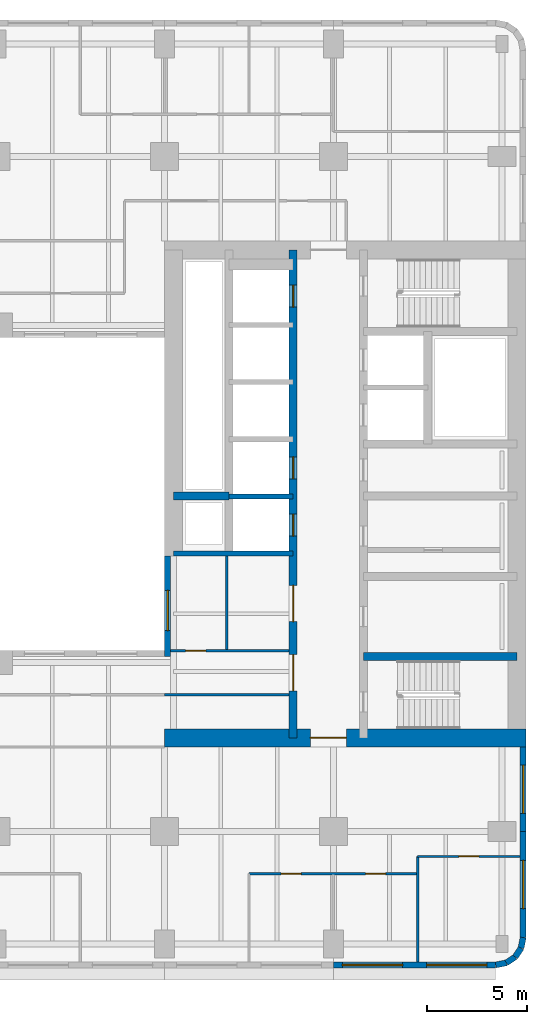
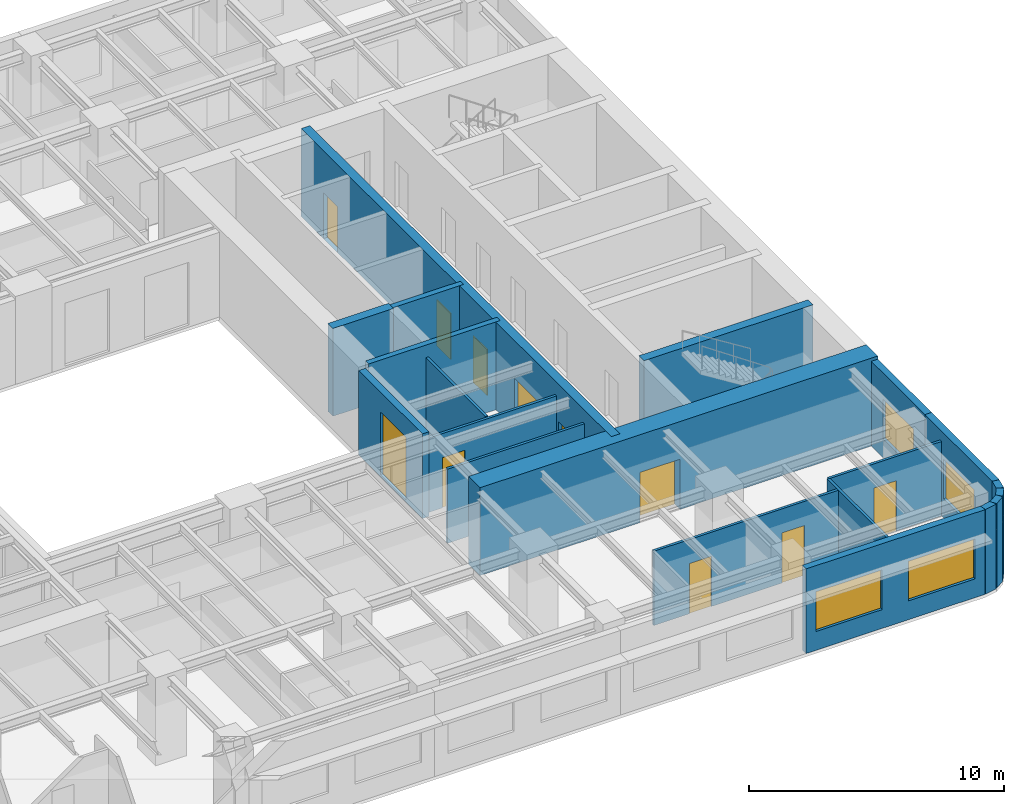
# One storey, part 5 of 11: 20 walls, 10 doors, 5 windows, 15 openings.
"""IFC4 building model written with IfcOpenShell, lengths in metres."""

from ifc_helpers import new_model, si_unit, direction, frame, frame_2d, origin, place, context, subcontext, project, spatial, rectangle, extrude, material, layer, layer_set, type_object, element, fill, save


model = new_model("IFC4")

# Units and contexts
model_context = context("Model", 3, precision=1e-05, world=origin(), true_north=direction((0.0, 1.0)))
body_context = subcontext(model_context, "Body", "Model", "MODEL_VIEW")
ifc_project = project(units=[si_unit("LENGTHUNIT", "METRE"), si_unit("AREAUNIT", "SQUARE_METRE"), si_unit("VOLUMEUNIT", "CUBIC_METRE"), si_unit("PLANEANGLEUNIT", "RADIAN"), si_unit("MASSUNIT", "GRAM", prefix="KILO")], contexts=[model_context])

# Site, building, storey
site_placement = place(None, origin())
site = spatial("IfcSite", under=ifc_project, at=site_placement, CompositionType="ELEMENT")
building_placement = place(site_placement, origin())
building = spatial("IfcBuilding", under=site, at=building_placement, Name="Claustro Exchange Tower", CompositionType="ELEMENT")
storey_placement = place(building_placement, frame((0.0, 0.0, 151.199951171875)))
storey = spatial("IfcBuildingStorey", under=building, at=storey_placement, Name="L34", CompositionType="ELEMENT", Elevation=151.199951171875)

# Wall, opening, door
ifc_material_1 = material(Name="Laminated glass in aluminium frame", Category="aluminium")
ifc_layer_1 = layer(ifc_material_1, 0.1201171875)
ifc_layer_set_1 = layer_set([ifc_layer_1], Name="Laminated glass in aluminium frame")
wall_type_1 = type_object("IfcWallType", Name="P2 120 glazed partition", PredefinedType="PARTITIONING", material=ifc_layer_set_1)
wall_1_placement = place(storey_placement, frame((33.89794921875, 17.39990234375, 0.0), z_axis=(0.0, 0.0, 1.0), x_axis=(1.0, 0.0, 0.0)))
wall_1 = element("IfcWall", 1, at=wall_1_placement, inside=storey, type_object=wall_type_1, Name="Partition P2 L34", PredefinedType="PARTITIONING", context=body_context, shape_type="SweptSolid", body=[
    extrude(rectangle(XDim=5.904052734375, YDim=0.1201171875, at=frame_2d((2.9521484375, 0.0))), origin(), (0.0, 0.0, 1.0), 3.550048828125),
])
opening_1_placement = place(wall_1_placement, frame((0.751953125, 0.0, 0.0)))
opening_1 = element("IfcOpeningElement", 2, at=opening_1_placement, cuts=wall_1, Name="Opening D7", PredefinedType="OPENING", context=body_context, shape_type="SweptSolid", body=[
    extrude(rectangle(XDim=1.0, YDim=2.39990234375, at=frame_2d((0.5, 1.199951171875))), frame((0.0, 0.070068359375, 0.0), z_axis=(0.0, -1.0, 0.0), x_axis=(1.0, 0.0, 0.0)), (0.0, 0.0, 1.0), 0.14013671875),
])
ifc_material_2 = material(Name="Glass door in aluminium frame", Category="aluminium")
door_type_1 = type_object("IfcDoorType", Name="D7 1000 x 2400 glazed door", OperationType="SINGLE_SWING_LEFT", PredefinedType="DOOR", material=ifc_material_2)
door_1_placement = place(opening_1_placement, origin())
door_1 = element("IfcDoor", 3, at=door_1_placement, inside=storey, type_object=door_type_1, Name="Door D7 L34", OperationType="SINGLE_SWING_RIGHT", OverallHeight=2.39990234375, OverallWidth=1.0, PredefinedType="DOOR", context=body_context, shape_type="SweptSolid", body=[
    extrude(rectangle(XDim=1.0, YDim=2.39990234375, at=frame_2d((0.5, 1.199951171875))), frame((0.0, 0.02490234375, 0.0), z_axis=(0.0, -1.0, 0.0), x_axis=(1.0, 0.0, 0.0)), (0.0, 0.0, 1.0), 0.050048828125),
])
fill(opening_1, door_1)

# Wall
wall_2_placement = place(storey_placement, frame((36.699951171875, 17.4580078125, 0.0), z_axis=(0.0, 0.0, 1.0), x_axis=(0.0, 1.0, 0.0)))
element("IfcWall", 4, at=wall_2_placement, inside=storey, type_object=wall_type_1, Name="Partition P2 L34", PredefinedType="PARTITIONING", context=body_context, shape_type="SweptSolid", body=[
    extrude(rectangle(XDim=4.64404296875, YDim=0.1201171875, at=frame_2d((2.322021484375, 0.0))), origin(), (0.0, 0.0, 1.0), 3.60009765625),
])

# Wall, opening, door
wall_3_placement = place(storey_placement, frame((46.199951171875, 7.14990234375, 0.0), z_axis=(0.0, 0.0, 1.0), x_axis=(1.0, 0.0, 0.0)))
wall_3 = element("IfcWall", 5, at=wall_3_placement, inside=storey, type_object=wall_type_1, Name="Partition P2 L34", PredefinedType="PARTITIONING", context=body_context, shape_type="SweptSolid", body=[
    extrude(rectangle(XDim=5.10205078125, YDim=0.1201171875, at=frame_2d((2.551025390625, 0.0))), origin(), (0.0, 0.0, 1.0), 3.56005859375),
])
opening_2_placement = place(wall_3_placement, frame((2.050048828125, 0.0, 0.0)))
opening_2 = element("IfcOpeningElement", 6, at=opening_2_placement, cuts=wall_3, Name="Opening D7", PredefinedType="OPENING", context=body_context, shape_type="SweptSolid", body=[
    extrude(rectangle(XDim=1.0, YDim=2.39990234375, at=frame_2d((0.5, 1.199951171875))), frame((0.0, 0.070068359375, 0.0), z_axis=(0.0, -1.0, 0.0), x_axis=(1.0, 0.0, 0.0)), (0.0, 0.0, 1.0), 0.14013671875),
])
door_2_placement = place(opening_2_placement, frame((1.0, 0.0, 0.0), z_axis=(0.0, 0.0, 1.0), x_axis=(-1.0, 0.0, 0.0)))
door_2 = element("IfcDoor", 7, at=door_2_placement, inside=storey, type_object=door_type_1, Name="Door D7 L34", OperationType="SINGLE_SWING_RIGHT", OverallHeight=2.39990234375, OverallWidth=1.0, PredefinedType="DOOR", context=body_context, shape_type="SweptSolid", body=[
    extrude(rectangle(XDim=1.0, YDim=2.39990234375, at=frame_2d((0.5, 1.199951171875))), frame((0.0, 0.02490234375, 0.0), z_axis=(0.0, -1.0, 0.0), x_axis=(1.0, 0.0, 0.0)), (0.0, 0.0, 1.0), 0.050048828125),
])
fill(opening_2, door_2)

# Wall, openings, doors
wall_4_placement = place(storey_placement, frame((37.800048828125, 6.300048828125, 0.0), z_axis=(0.0, 0.0, 1.0), x_axis=(1.0, 0.0, 0.0)))
wall_4 = element("IfcWall", 8, at=wall_4_placement, inside=storey, type_object=wall_type_1, Name="Partition P2 L34", PredefinedType="PARTITIONING", context=body_context, shape_type="SweptSolid", body=[
    extrude(rectangle(XDim=8.342041015625, YDim=0.1201171875, at=frame_2d((4.1708984375, 0.0))), origin(), (0.0, 0.0, 1.0), 3.550048828125),
])
opening_3_placement = place(wall_4_placement, frame((1.60009765625, 0.0, 0.0)))
opening_3 = element("IfcOpeningElement", 9, at=opening_3_placement, cuts=wall_4, Name="Opening D7", PredefinedType="OPENING", context=body_context, shape_type="SweptSolid", body=[
    extrude(rectangle(XDim=1.0, YDim=2.39990234375, at=frame_2d((0.5, 1.199951171875))), frame((0.0, 0.070068359375, 0.0), z_axis=(0.0, -1.0, 0.0), x_axis=(1.0, 0.0, 0.0)), (0.0, 0.0, 1.0), 0.14013671875),
])
opening_4_placement = place(wall_4_placement, frame((5.800048828125, 0.0, 0.0)))
opening_4 = element("IfcOpeningElement", 10, at=opening_4_placement, cuts=wall_4, Name="Opening D7", PredefinedType="OPENING", context=body_context, shape_type="SweptSolid", body=[
    extrude(rectangle(XDim=1.0, YDim=2.39990234375, at=frame_2d((0.5, 1.199951171875))), frame((0.0, 0.070068359375, 0.0), z_axis=(0.0, -1.0, 0.0), x_axis=(1.0, 0.0, 0.0)), (0.0, 0.0, 1.0), 0.14013671875),
])
door_3_placement = place(opening_3_placement, frame((1.0, 0.0, 0.0), z_axis=(0.0, 0.0, 1.0), x_axis=(-1.0, 0.0, 0.0)))
door_3 = element("IfcDoor", 11, at=door_3_placement, inside=storey, type_object=door_type_1, Name="Door D7 L34", OperationType="SINGLE_SWING_RIGHT", OverallHeight=2.39990234375, OverallWidth=1.0, PredefinedType="DOOR", context=body_context, shape_type="SweptSolid", body=[
    extrude(rectangle(XDim=1.0, YDim=2.39990234375, at=frame_2d((0.5, 1.199951171875))), frame((0.0, 0.02490234375, 0.0), z_axis=(0.0, -1.0, 0.0), x_axis=(1.0, 0.0, 0.0)), (0.0, 0.0, 1.0), 0.050048828125),
])
fill(opening_3, door_3)
door_4_placement = place(opening_4_placement, frame((1.0, 0.0, 0.0), z_axis=(0.0, 0.0, 1.0), x_axis=(-1.0, 0.0, 0.0)))
door_4 = element("IfcDoor", 12, at=door_4_placement, inside=storey, type_object=door_type_1, Name="Door D7 L34", OperationType="SINGLE_SWING_RIGHT", OverallHeight=2.39990234375, OverallWidth=1.0, PredefinedType="DOOR", context=body_context, shape_type="SweptSolid", body=[
    extrude(rectangle(XDim=1.0, YDim=2.39990234375, at=frame_2d((0.5, 1.199951171875))), frame((0.0, 0.02490234375, 0.0), z_axis=(0.0, -1.0, 0.0), x_axis=(1.0, 0.0, 0.0)), (0.0, 0.0, 1.0), 0.050048828125),
])
fill(opening_4, door_4)

# Walls
wall_5_placement = place(storey_placement, frame((46.199951171875, 1.89794921875, 0.0), z_axis=(0.0, 0.0, 1.0), x_axis=(0.0, 1.0, 0.0)))
element("IfcWall", 13, at=wall_5_placement, inside=storey, type_object=wall_type_1, Name="Partition P2 L34", PredefinedType="PARTITIONING", context=body_context, shape_type="SweptSolid", body=[
    extrude(rectangle(XDim=5.251953125, YDim=0.1201171875, at=frame_2d((2.6259765625, 0.0))), origin(), (0.0, 0.0, 1.0), 3.56005859375),
])
wall_6_placement = place(storey_placement, frame((33.597900390625, 15.199951171875, 0.0), z_axis=(0.0, 0.0, 1.0), x_axis=(1.0, 0.0, 0.0)))
element("IfcWall", 14, at=wall_6_placement, inside=storey, type_object=wall_type_1, Name="Partition P2 L34", PredefinedType="PARTITIONING", context=body_context, shape_type="SweptSolid", body=[
    extrude(rectangle(XDim=6.2041015625, YDim=0.1201171875, at=frame_2d((3.10205078125, 0.0))), origin(), (0.0, 0.0, 1.0), 3.550048828125),
])

# Wall, openings, windows
ifc_material_3 = material(Name="Concrete HA-40 (C40/50), precast, white cement, acid-etched", Category="concrete")
ifc_layer_2 = layer(ifc_material_3, 0.300048828125)
ifc_layer_set_2 = layer_set([ifc_layer_2], Name="Concrete HA-40 (C40/50), precast, white cement, acid-etched")
wall_type_2 = type_object("IfcWallType", Name="PC1 300 precast concrete pier panel", PredefinedType="SOLIDWALL", material=ifc_layer_set_2)
wall_7_placement = place(storey_placement, frame((50.085205078125, 1.75, 0.0), z_axis=(0.0, 0.0, 1.0), x_axis=(-1.0, 0.0, 0.0)))
wall_7 = element("IfcWall", 15, at=wall_7_placement, inside=storey, type_object=wall_type_2, Name="Precast pier panel PC1 L34", PredefinedType="SOLIDWALL", context=body_context, shape_type="SweptSolid", body=[
    extrude(rectangle(XDim=8.085205078125, YDim=0.300048828125, at=frame_2d((4.04248046875, 0.0))), origin(), (0.0, 0.0, 1.0), 4.050048828125),
])
opening_5_placement = place(wall_7_placement, frame((0.442626953125, 0.0, 0.89990234375)))
opening_5 = element("IfcOpeningElement", 16, at=opening_5_placement, cuts=wall_7, Name="Opening W1", PredefinedType="OPENING", context=body_context, shape_type="SweptSolid", body=[
    extrude(rectangle(XDim=3.0, YDim=1.89990234375, at=frame_2d((1.5, 0.949951171875))), frame((0.0, 0.159912109375, 0.0), z_axis=(0.0, -1.0, 0.0), x_axis=(1.0, 0.0, 0.0)), (0.0, 0.0, 1.0), 0.320068359375),
])
opening_6_placement = place(wall_7_placement, frame((4.642578125, 0.0, 0.89990234375)))
opening_6 = element("IfcOpeningElement", 17, at=opening_6_placement, cuts=wall_7, Name="Opening W1", PredefinedType="OPENING", context=body_context, shape_type="SweptSolid", body=[
    extrude(rectangle(XDim=3.0, YDim=1.89990234375, at=frame_2d((1.5, 0.949951171875))), frame((0.0, 0.159912109375, 0.0), z_axis=(0.0, -1.0, 0.0), x_axis=(1.0, 0.0, 0.0)), (0.0, 0.0, 1.0), 0.320068359375),
])
ifc_material_4 = material(Name="Aluminium frame, clear double glazing", Category="aluminium")
window_type_1 = type_object("IfcWindowType", Name="W1 3000 x 1900 window", PartitioningType="SINGLE_PANEL", PredefinedType="WINDOW", material=ifc_material_4)
window_1_placement = place(opening_5_placement, origin())
window_1 = element("IfcWindow", 18, at=window_1_placement, inside=storey, type_object=window_type_1, Name="Window W1 L34", OverallHeight=1.89990234375, OverallWidth=3.0, PartitioningType="SINGLE_PANEL", PredefinedType="WINDOW", context=body_context, shape_type="SweptSolid", body=[
    extrude(rectangle(XDim=3.0, YDim=1.89990234375, at=frame_2d((1.5, 0.949951171875))), frame((0.0, 0.030029296875, 0.0), z_axis=(0.0, -1.0, 0.0), x_axis=(1.0, 0.0, 0.0)), (0.0, 0.0, 1.0), 0.06005859375),
])
fill(opening_5, window_1)
window_2_placement = place(opening_6_placement, origin())
window_2 = element("IfcWindow", 19, at=window_2_placement, inside=storey, type_object=window_type_1, Name="Window W1 L34", OverallHeight=1.89990234375, OverallWidth=3.0, PartitioningType="SINGLE_PANEL", PredefinedType="WINDOW", context=body_context, shape_type="SweptSolid", body=[
    extrude(rectangle(XDim=3.0, YDim=1.89990234375, at=frame_2d((1.5, 0.949951171875))), frame((0.0, 0.030029296875, 0.0), z_axis=(0.0, -1.0, 0.0), x_axis=(1.0, 0.0, 0.0)), (0.0, 0.0, 1.0), 0.06005859375),
])
fill(opening_6, window_2)

# Wall, opening, window
wall_8_placement = place(storey_placement, frame((51.449951171875, 12.60009765625, 0.0), z_axis=(0.0, 0.0, 1.0), x_axis=(0.0, -1.0, 0.0)))
wall_8 = element("IfcWall", 20, at=wall_8_placement, inside=storey, type_object=wall_type_2, Name="Precast pier panel PC1 L34", PredefinedType="SOLIDWALL", context=body_context, shape_type="SweptSolid", body=[
    extrude(rectangle(XDim=4.2001953125, YDim=0.300048828125, at=frame_2d((2.10009765625, 0.0))), origin(), (0.0, 0.0, 1.0), 4.050048828125),
])
opening_7_placement = place(wall_8_placement, frame((0.89990234375, 0.0, 0.89990234375)))
opening_7 = element("IfcOpeningElement", 21, at=opening_7_placement, cuts=wall_8, Name="Opening W2", PredefinedType="OPENING", context=body_context, shape_type="SweptSolid", body=[
    extrude(rectangle(XDim=2.39990234375, YDim=1.89990234375, at=frame_2d((1.199951171875, 0.949951171875))), frame((0.0, 0.159912109375, 0.0), z_axis=(0.0, -1.0, 0.0), x_axis=(1.0, 0.0, 0.0)), (0.0, 0.0, 1.0), 0.320068359375),
])
ifc_material_5 = material(Name="Aluminium frame, clear double glazing", Category="aluminium")
window_type_2 = type_object("IfcWindowType", Name="W2 2400 x 1900 window", PartitioningType="SINGLE_PANEL", PredefinedType="WINDOW", material=ifc_material_5)
window_3_placement = place(opening_7_placement, origin())
window_3 = element("IfcWindow", 22, at=window_3_placement, inside=storey, type_object=window_type_2, Name="Window W2 L34", OverallHeight=1.89990234375, OverallWidth=2.39990234375, PartitioningType="SINGLE_PANEL", PredefinedType="WINDOW", context=body_context, shape_type="SweptSolid", body=[
    extrude(rectangle(XDim=2.39990234375, YDim=1.89990234375, at=frame_2d((1.199951171875, 0.949951171875))), frame((0.0, 0.030029296875, 0.0), z_axis=(0.0, -1.0, 0.0), x_axis=(1.0, 0.0, 0.0)), (0.0, 0.0, 1.0), 0.06005859375),
])
fill(opening_7, window_3)

wall_9_placement = place(storey_placement, frame((51.449951171875, 8.39990234375, 0.0), z_axis=(0.0, 0.0, 1.0), x_axis=(0.0, -1.0, 0.0)))
wall_9 = element("IfcWall", 23, at=wall_9_placement, inside=storey, type_object=wall_type_2, Name="Precast pier panel PC1 L34", PredefinedType="SOLIDWALL", context=body_context, shape_type="SweptSolid", body=[
    extrude(rectangle(XDim=5.28515625, YDim=0.300048828125, at=frame_2d((2.642578125, 0.0))), origin(), (0.0, 0.0, 1.0), 4.050048828125),
])
opening_8_placement = place(wall_9_placement, frame((1.442626953125, 0.0, 0.89990234375)))
opening_8 = element("IfcOpeningElement", 24, at=opening_8_placement, cuts=wall_9, Name="Opening W2", PredefinedType="OPENING", context=body_context, shape_type="SweptSolid", body=[
    extrude(rectangle(XDim=2.39990234375, YDim=1.89990234375, at=frame_2d((1.199951171875, 0.949951171875))), frame((0.0, 0.159912109375, 0.0), z_axis=(0.0, -1.0, 0.0), x_axis=(1.0, 0.0, 0.0)), (0.0, 0.0, 1.0), 0.320068359375),
])
window_4_placement = place(opening_8_placement, origin())
window_4 = element("IfcWindow", 25, at=window_4_placement, inside=storey, type_object=window_type_2, Name="Window W2 L34", OverallHeight=1.89990234375, OverallWidth=2.39990234375, PartitioningType="SINGLE_PANEL", PredefinedType="WINDOW", context=body_context, shape_type="SweptSolid", body=[
    extrude(rectangle(XDim=2.39990234375, YDim=1.89990234375, at=frame_2d((1.199951171875, 0.949951171875))), frame((0.0, 0.030029296875, 0.0), z_axis=(0.0, -1.0, 0.0), x_axis=(1.0, 0.0, 0.0)), (0.0, 0.0, 1.0), 0.06005859375),
])
fill(opening_8, window_4)

# Walls
wall_10_placement = place(storey_placement, frame((51.449951171875, 3.11474609375, 0.0), z_axis=(0.0, 0.0, 1.0), x_axis=(-0.195073962632, -0.980788534345, 0.0)))
element("IfcWall", 26, at=wall_10_placement, inside=storey, type_object=wall_type_2, Name="Precast pier panel PC1 L34", PredefinedType="SOLIDWALL", context=body_context, shape_type="SweptSolid", body=[
    extrude(rectangle(XDim=0.540771484375, YDim=0.300048828125, at=frame_2d((0.2705078125, 0.0))), origin(), (0.0, 0.0, 1.0), 4.050048828125),
])
for number, where, z_axis, x_axis, name in (
    (27, (51.344482421875, 2.58447265625, 0.0), (0.0, 0.0, 1.0), (-0.555557463938, -0.831478144188, 0.0), "Precast pier panel PC1 L34"),
    (28, (51.052490234375, 2.1474609375, 0.0), (0.0, 0.0, 1.0), (-0.831478144188, -0.555557463938, 0.0), "Precast pier panel PC1 L34"),
):
    element("IfcWall", number, at=place(storey_placement, frame(where, z_axis=z_axis, x_axis=x_axis)), inside=storey, type_object=wall_type_2, Name=name, PredefinedType="SOLIDWALL", context=body_context, shape_type="SweptSolid", body=[
        extrude(rectangle(XDim=0.525634765625, YDim=0.300048828125, at=frame_2d((0.2626953125, 0.0))), origin(), (0.0, 0.0, 1.0), 4.050048828125),
    ])
wall_11_placement = place(storey_placement, frame((50.615478515625, 1.85546875, 0.0), z_axis=(0.0, 0.0, 1.0), x_axis=(-0.980788534345, -0.195073962632, 0.0)))
element("IfcWall", 29, at=wall_11_placement, inside=storey, type_object=wall_type_2, Name="Precast pier panel PC1 L34", PredefinedType="SOLIDWALL", context=body_context, shape_type="SweptSolid", body=[
    extrude(rectangle(XDim=0.540771484375, YDim=0.300048828125, at=frame_2d((0.2705078125, 0.0))), origin(), (0.0, 0.0, 1.0), 4.050048828125),
])

# Wall, opening, window
wall_12_placement = place(storey_placement, frame((33.75, 17.10009765625, 0.0), z_axis=(0.0, 0.0, 1.0), x_axis=(0.0, 1.0, 0.0)))
wall_12 = element("IfcWall", 30, at=wall_12_placement, inside=storey, type_object=wall_type_2, Name="Precast pier panel PC1 L34", PredefinedType="SOLIDWALL", context=body_context, shape_type="SweptSolid", body=[
    extrude(rectangle(XDim=5.0, YDim=0.300048828125, at=frame_2d((2.5, 0.0))), origin(), (0.0, 0.0, 1.0), 4.050048828125),
])
opening_9_placement = place(wall_12_placement, frame((1.300048828125, 0.0, 0.10009765625)))
opening_9 = element("IfcOpeningElement", 31, at=opening_9_placement, cuts=wall_12, Name="Opening W-A", PredefinedType="OPENING", context=body_context, shape_type="SweptSolid", body=[
    extrude(rectangle(XDim=2.0, YDim=3.0, at=frame_2d((1.0, 1.5))), frame((0.0, 0.159912109375, 0.0), z_axis=(0.0, -1.0, 0.0), x_axis=(1.0, 0.0, 0.0)), (0.0, 0.0, 1.0), 0.320068359375),
])
ifc_material_6 = material(Name="Aluminium frame, clear double glazing", Category="aluminium")
window_type_3 = type_object("IfcWindowType", Name="W-A 2000 x 3000 arcade window", PartitioningType="SINGLE_PANEL", PredefinedType="WINDOW", material=ifc_material_6)
window_5_placement = place(opening_9_placement, origin())
window_5 = element("IfcWindow", 32, at=window_5_placement, inside=storey, type_object=window_type_3, Name="Window W-A L34", OverallHeight=3.0, OverallWidth=2.0, PartitioningType="SINGLE_PANEL", PredefinedType="WINDOW", context=body_context, shape_type="SweptSolid", body=[
    extrude(rectangle(XDim=2.0, YDim=3.0, at=frame_2d((1.0, 1.5))), frame((0.0, 0.030029296875, 0.0), z_axis=(0.0, -1.0, 0.0), x_axis=(1.0, 0.0, 0.0)), (0.0, 0.0, 1.0), 0.06005859375),
])
fill(opening_9, window_5)

# Wall, opening, door
ifc_material_7 = material(Name="Concrete HA-70 (C70/85)", Category="concrete")
ifc_layer_3 = layer(ifc_material_7, 0.89990234375)
ifc_layer_set_3 = layer_set([ifc_layer_3], Name="Concrete HA-70 (C70/85)")
wall_type_3 = type_object("IfcWallType", Name="SW1 900 core shear wall", PredefinedType="SHEAR", material=ifc_layer_set_3)
wall_13_placement = place(storey_placement, frame((33.60009765625, 13.050048828125, 0.0), z_axis=(0.0, 0.0, 1.0), x_axis=(1.0, 0.0, 0.0)))
wall_13 = element("IfcWall", 33, at=wall_13_placement, inside=storey, type_object=wall_type_3, Name="Core wall SW1 E core S face L34", PredefinedType="SHEAR", context=body_context, shape_type="SweptSolid", body=[
    extrude(rectangle(XDim=18.0, YDim=0.89990234375, at=frame_2d((9.0, 0.0))), origin(), (0.0, 0.0, 1.0), 4.199951171875),
])
opening_10_placement = place(wall_13_placement, frame((7.25, 0.0, 0.0)))
opening_10 = element("IfcOpeningElement", 34, at=opening_10_placement, cuts=wall_13, Name="Opening D3", PredefinedType="OPENING", context=body_context, shape_type="SweptSolid", body=[
    extrude(rectangle(XDim=1.800048828125, YDim=2.39990234375, at=frame_2d((0.89990234375, 1.199951171875))), frame((0.0, 0.4599609375, 0.0), z_axis=(0.0, -1.0, 0.0), x_axis=(1.0, 0.0, 0.0)), (0.0, 0.0, 1.0), 0.919921875),
])
ifc_material_8 = material(Name="Steel fire door, painted", Category="steel")
door_type_2 = type_object("IfcDoorType", Name="D3 1800 x 2400 fire-rated lobby double door", OperationType="DOUBLE_DOOR_SINGLE_SWING", PredefinedType="DOOR", material=ifc_material_8)
door_5_placement = place(opening_10_placement, frame((1.800048828125, 0.0, 0.0), z_axis=(0.0, 0.0, 1.0), x_axis=(-1.0, 0.0, 0.0)))
door_5 = element("IfcDoor", 35, at=door_5_placement, inside=storey, type_object=door_type_2, Name="Lift lobby door D3 L34", OperationType="DOUBLE_DOOR_SINGLE_SWING", OverallHeight=2.39990234375, OverallWidth=1.800048828125, PredefinedType="DOOR", context=body_context, shape_type="SweptSolid", body=[
    extrude(rectangle(XDim=1.800048828125, YDim=2.39990234375, at=frame_2d((0.89990234375, 1.199951171875))), frame((0.0, 0.02490234375, 0.0), z_axis=(0.0, -1.0, 0.0), x_axis=(1.0, 0.0, 0.0)), (0.0, 0.0, 1.0), 0.050048828125),
])
fill(opening_10, door_5)

# Wall, openings, doors
ifc_material_9 = material(Name="Concrete HA-50 (C50/60)", Category="concrete")
ifc_layer_4 = layer(ifc_material_9, 0.39990234375)
ifc_layer_set_4 = layer_set([ifc_layer_4], Name="Concrete HA-50 (C50/60)")
wall_type_4 = type_object("IfcWallType", Name="SW4 400 internal core wall", PredefinedType="SHEAR", material=ifc_layer_set_4)
wall_14_placement = place(storey_placement, frame((40.0, 13.050048828125, 0.0), z_axis=(0.0, 0.0, 1.0), x_axis=(0.0, 1.0, 0.0)))
wall_14 = element("IfcWall", 36, at=wall_14_placement, inside=storey, type_object=wall_type_4, Name="Internal core wall SW4 E core L34", PredefinedType="SHEAR", context=body_context, shape_type="SweptSolid", body=[
    extrude(rectangle(XDim=24.300048828125, YDim=0.39990234375, at=frame_2d((12.14990234375, 0.0))), origin(), (0.0, 0.0, 1.0), 4.199951171875),
])
opening_11_placement = place(wall_14_placement, frame((10.050048828125, 0.0, 0.0)))
opening_11 = element("IfcOpeningElement", 37, at=opening_11_placement, cuts=wall_14, Name="Opening LD", PredefinedType="OPENING", context=body_context, shape_type="SweptSolid", body=[
    extrude(rectangle(XDim=1.10009765625, YDim=2.199951171875, at=frame_2d((0.550048828125, 1.10009765625))), frame((0.0, 0.2099609375, 0.0), z_axis=(0.0, -1.0, 0.0), x_axis=(1.0, 0.0, 0.0)), (0.0, 0.0, 1.0), 0.419921875),
])
opening_12_placement = place(wall_14_placement, frame((12.89990234375, 0.0, 0.0)))
opening_12 = element("IfcOpeningElement", 38, at=opening_12_placement, cuts=wall_14, Name="Opening LD", PredefinedType="OPENING", context=body_context, shape_type="SweptSolid", body=[
    extrude(rectangle(XDim=1.10009765625, YDim=2.199951171875, at=frame_2d((0.550048828125, 1.10009765625))), frame((0.0, 0.2099609375, 0.0), z_axis=(0.0, -1.0, 0.0), x_axis=(1.0, 0.0, 0.0)), (0.0, 0.0, 1.0), 0.419921875),
])
opening_13_placement = place(wall_14_placement, frame((21.449951171875, 0.0, 0.0)))
opening_13 = element("IfcOpeningElement", 39, at=opening_13_placement, cuts=wall_14, Name="Opening LD", PredefinedType="OPENING", context=body_context, shape_type="SweptSolid", body=[
    extrude(rectangle(XDim=1.10009765625, YDim=2.199951171875, at=frame_2d((0.550048828125, 1.10009765625))), frame((0.0, 0.2099609375, 0.0), z_axis=(0.0, -1.0, 0.0), x_axis=(1.0, 0.0, 0.0)), (0.0, 0.0, 1.0), 0.419921875),
])
opening_14_placement = place(wall_14_placement, frame((2.35009765625, 0.0, 0.0)))
opening_14 = element("IfcOpeningElement", 40, at=opening_14_placement, cuts=wall_14, Name="Opening D3", PredefinedType="OPENING", context=body_context, shape_type="SweptSolid", body=[
    extrude(rectangle(XDim=1.800048828125, YDim=2.39990234375, at=frame_2d((0.89990234375, 1.199951171875))), frame((0.0, 0.2099609375, 0.0), z_axis=(0.0, -1.0, 0.0), x_axis=(1.0, 0.0, 0.0)), (0.0, 0.0, 1.0), 0.419921875),
])
opening_15_placement = place(wall_14_placement, frame((5.800048828125, 0.0, 0.0)))
opening_15 = element("IfcOpeningElement", 41, at=opening_15_placement, cuts=wall_14, Name="Opening D3", PredefinedType="OPENING", context=body_context, shape_type="SweptSolid", body=[
    extrude(rectangle(XDim=1.800048828125, YDim=2.39990234375, at=frame_2d((0.89990234375, 1.199951171875))), frame((0.0, 0.2099609375, 0.0), z_axis=(0.0, -1.0, 0.0), x_axis=(1.0, 0.0, 0.0)), (0.0, 0.0, 1.0), 0.419921875),
])
door_6_placement = place(opening_14_placement, frame((1.800048828125, 0.0, 0.0), z_axis=(0.0, 0.0, 1.0), x_axis=(-1.0, 0.0, 0.0)))
door_6 = element("IfcDoor", 42, at=door_6_placement, inside=storey, type_object=door_type_2, Name="Core zone door D3 L34", OperationType="DOUBLE_DOOR_SINGLE_SWING", OverallHeight=2.39990234375, OverallWidth=1.800048828125, PredefinedType="DOOR", context=body_context, shape_type="SweptSolid", body=[
    extrude(rectangle(XDim=1.800048828125, YDim=2.39990234375, at=frame_2d((0.89990234375, 1.199951171875))), frame((0.0, 0.02490234375, 0.0), z_axis=(0.0, -1.0, 0.0), x_axis=(1.0, 0.0, 0.0)), (0.0, 0.0, 1.0), 0.050048828125),
])
fill(opening_14, door_6)
door_7_placement = place(opening_15_placement, origin())
door_7 = element("IfcDoor", 43, at=door_7_placement, inside=storey, type_object=door_type_2, Name="Core zone door D3 L34", OperationType="DOUBLE_DOOR_SINGLE_SWING", OverallHeight=2.39990234375, OverallWidth=1.800048828125, PredefinedType="DOOR", context=body_context, shape_type="SweptSolid", body=[
    extrude(rectangle(XDim=1.800048828125, YDim=2.39990234375, at=frame_2d((0.89990234375, 1.199951171875))), frame((0.0, 0.02490234375, 0.0), z_axis=(0.0, -1.0, 0.0), x_axis=(1.0, 0.0, 0.0)), (0.0, 0.0, 1.0), 0.050048828125),
])
fill(opening_15, door_7)
ifc_material_10 = material(Name="Stainless steel sliding door", Category="steel")
door_type_3 = type_object("IfcDoorType", Name="LD 1100 x 2200 lift landing door", OperationType="DOUBLE_DOOR_SLIDING", PredefinedType="DOOR", material=ifc_material_10)
door_8_placement = place(opening_11_placement, origin())
door_8 = element("IfcDoor", 44, at=door_8_placement, inside=storey, type_object=door_type_3, Name="Lift landing door LME1 LD L34", OperationType="DOUBLE_DOOR_SLIDING", OverallHeight=2.199951171875, OverallWidth=1.10009765625, PredefinedType="DOOR", context=body_context, shape_type="SweptSolid", body=[
    extrude(rectangle(XDim=1.10009765625, YDim=2.199951171875, at=frame_2d((0.550048828125, 1.10009765625))), frame((0.0, 0.02490234375, 0.0), z_axis=(0.0, -1.0, 0.0), x_axis=(1.0, 0.0, 0.0)), (0.0, 0.0, 1.0), 0.050048828125),
])
fill(opening_11, door_8)
door_9_placement = place(opening_12_placement, origin())
door_9 = element("IfcDoor", 45, at=door_9_placement, inside=storey, type_object=door_type_3, Name="Lift landing door LME2 LD L34", OperationType="DOUBLE_DOOR_SLIDING", OverallHeight=2.199951171875, OverallWidth=1.10009765625, PredefinedType="DOOR", context=body_context, shape_type="SweptSolid", body=[
    extrude(rectangle(XDim=1.10009765625, YDim=2.199951171875, at=frame_2d((0.550048828125, 1.10009765625))), frame((0.0, 0.02490234375, 0.0), z_axis=(0.0, -1.0, 0.0), x_axis=(1.0, 0.0, 0.0)), (0.0, 0.0, 1.0), 0.050048828125),
])
fill(opening_12, door_9)
door_10_placement = place(opening_13_placement, origin())
door_10 = element("IfcDoor", 46, at=door_10_placement, inside=storey, type_object=door_type_3, Name="Lift landing door LSE1 LD L34", OperationType="DOUBLE_DOOR_SLIDING", OverallHeight=2.199951171875, OverallWidth=1.10009765625, PredefinedType="DOOR", context=body_context, shape_type="SweptSolid", body=[
    extrude(rectangle(XDim=1.10009765625, YDim=2.199951171875, at=frame_2d((0.550048828125, 1.10009765625))), frame((0.0, 0.02490234375, 0.0), z_axis=(0.0, -1.0, 0.0), x_axis=(1.0, 0.0, 0.0)), (0.0, 0.0, 1.0), 0.050048828125),
])
fill(opening_13, door_10)

# Walls
wall_15_placement = place(storey_placement, frame((51.14990234375, 17.10009765625, 0.0), z_axis=(0.0, 0.0, 1.0), x_axis=(-1.0, 0.0, 0.0)))
element("IfcWall", 47, at=wall_15_placement, inside=storey, type_object=wall_type_4, Name="Internal core wall SW4 E core L34", PredefinedType="SHEAR", context=body_context, shape_type="SweptSolid", body=[
    extrude(rectangle(XDim=7.64990234375, YDim=0.39990234375, at=frame_2d((3.824951171875, 0.0))), origin(), (0.0, 0.0, 1.0), 4.199951171875),
])
wall_16_placement = place(storey_placement, frame((36.800048828125, 25.10009765625, 0.0), z_axis=(0.0, 0.0, 1.0), x_axis=(-1.0, 0.0, 0.0)))
element("IfcWall", 48, at=wall_16_placement, inside=storey, type_object=wall_type_4, Name="Internal core wall SW4 E core L34", PredefinedType="SHEAR", context=body_context, shape_type="SweptSolid", body=[
    extrude(rectangle(XDim=2.75, YDim=0.39990234375, at=frame_2d((1.375, 0.0))), origin(), (0.0, 0.0, 1.0), 4.199951171875),
])
ifc_material_11 = material(Name="Concrete HA-50 (C50/60)", Category="concrete")
ifc_layer_5 = layer(ifc_material_11, 0.25)
ifc_layer_set_5 = layer_set([ifc_layer_5], Name="Concrete HA-50 (C50/60)")
wall_type_5 = type_object("IfcWallType", Name="SW5 250 lift shaft divider wall", PredefinedType="SHEAR", material=ifc_layer_set_5)
wall_17_placement = place(storey_placement, frame((40.0, 22.22509765625, 0.0), z_axis=(0.0, 0.0, 1.0), x_axis=(-1.0, 0.0, 0.0)))
element("IfcWall", 49, at=wall_17_placement, inside=storey, type_object=wall_type_5, Name="Core step wall E core L34", PredefinedType="SHEAR", context=body_context, shape_type="SweptSolid", body=[
    extrude(rectangle(XDim=5.949951171875, YDim=0.25, at=frame_2d((2.97509765625, 0.0))), origin(), (0.0, 0.0, 1.0), 4.199951171875),
])
wall_18_placement = place(storey_placement, frame((40.0, 25.074951171875, 0.0), z_axis=(0.0, 0.0, 1.0), x_axis=(-1.0, 0.0, 0.0)))
element("IfcWall", 50, at=wall_18_placement, inside=storey, type_object=wall_type_5, Name="Lift shaft wall E core L34", PredefinedType="SHEAR", context=body_context, shape_type="SweptSolid", body=[
    extrude(rectangle(XDim=3.199951171875, YDim=0.25, at=frame_2d((1.60009765625, 0.0))), origin(), (0.0, 0.0, 1.0), 4.199951171875),
])

save(model, "model.ifc")
